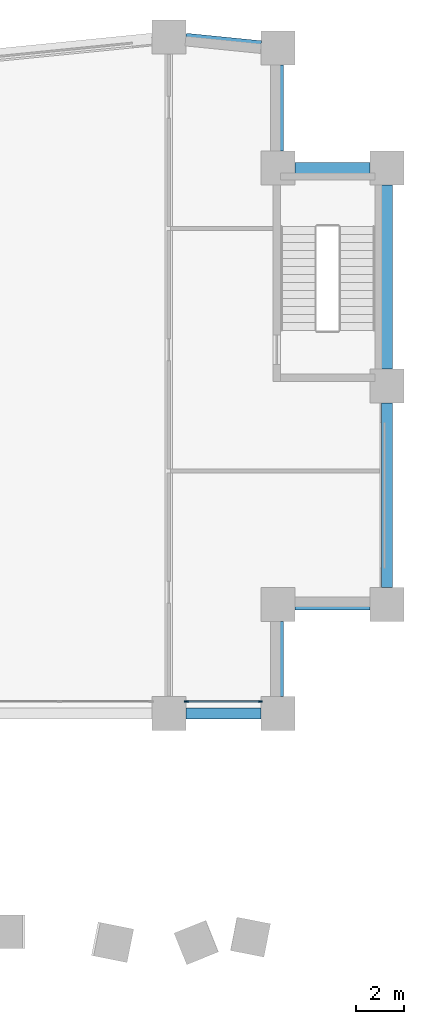
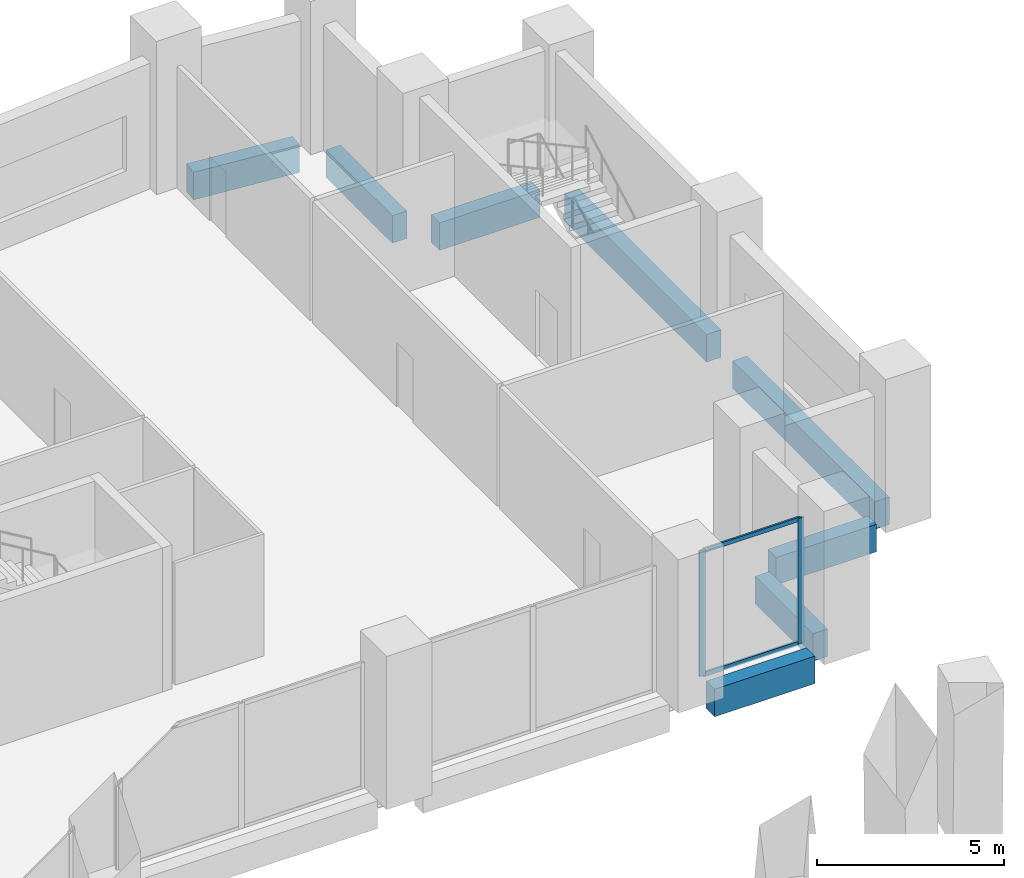
# One storey, part 8 of 17: 8 beams, 4 members, 1 element without a shape of its own.
"""IFC4 building model written with IfcOpenShell, lengths in metres."""

from ifc_helpers import new_model, si_unit, direction, frame, origin, origin_2d, place, context, subcontext, project, spatial, rectangle, extrude, material, material_profile, profile_set, type_object, element, aggregate, save


model = new_model("IFC4")

# Units and contexts
model_context = context("Model", 3, precision=1e-05, world=origin(), true_north=direction((0.0, 1.0)))
body_context = subcontext(model_context, "Body", "Model", "MODEL_VIEW")
ifc_project = project(units=[si_unit("LENGTHUNIT", "METRE"), si_unit("AREAUNIT", "SQUARE_METRE"), si_unit("VOLUMEUNIT", "CUBIC_METRE"), si_unit("PLANEANGLEUNIT", "RADIAN"), si_unit("MASSUNIT", "GRAM", prefix="KILO")], contexts=[model_context])

# Site, building, storey
site_placement = place(None, origin())
site = spatial("IfcSite", under=ifc_project, at=site_placement, CompositionType="ELEMENT")
building_placement = place(site_placement, origin())
building = spatial("IfcBuilding", under=site, at=building_placement, Name="Brondeck Convention Tower", CompositionType="ELEMENT")
storey_placement = place(building_placement, frame((0.0, 0.0, 14.5)))
storey = spatial("IfcBuildingStorey", under=building, at=storey_placement, Name="L02", CompositionType="ELEMENT", Elevation=14.5)

# Curtain wall, members
ifc_material_1 = material(Name="Aluminium, bronze anodised", Category="aluminium")
curtain_wall_type = type_object("IfcCurtainWallType", Name="Podium hall curtain wall", PredefinedType="NOTDEFINED", material=ifc_material_1)
curtain_wall_placement = place(storey_placement, origin())
curtain_wall = element("IfcCurtainWall", 1, at=curtain_wall_placement, inside=storey, type_object=curtain_wall_type, Name="ENV-CW2-L02-A-S-08", PredefinedType="NOTDEFINED")
ifc_material_profile_1 = material_profile(ifc_material_1, rectangle(XDim=0.06005859375, YDim=0.179931640625, at=origin_2d()), Name="CW2 mullion")
ifc_profile_set_1 = profile_set([ifc_material_profile_1], Name="Aluminium, bronze anodised")
member_type_1 = type_object("IfcMemberType", Name="CW2 mullion", PredefinedType="MULLION", material=ifc_profile_set_1)
member_1_placement = place(storey_placement, frame((66.77001953125, 36.5, 0.0), z_axis=(0.0, 0.0, 1.0), x_axis=(0.0, -1.0, 0.0)))
member_1 = element("IfcMember", 2, at=member_1_placement, type_object=member_type_1, Name="CW2 mullion 1", PredefinedType="MULLION", context=body_context, shape_type="SweptSolid", body=[
    extrude(rectangle(XDim=0.06005859375, YDim=0.179931640625, at=origin_2d()), origin(), (0.0, 0.0, 1.0), 4.10009765625),
])
member_2_placement = place(storey_placement, frame((63.72998046875, 36.5, 0.0), z_axis=(0.0, 0.0, 1.0), x_axis=(0.0, -1.0, 0.0)))
member_2 = element("IfcMember", 3, at=member_2_placement, type_object=member_type_1, Name="CW2 mullion 2", PredefinedType="MULLION", context=body_context, shape_type="SweptSolid", body=[
    extrude(rectangle(XDim=0.06005859375, YDim=0.179931640625, at=origin_2d()), origin(), (0.0, 0.0, 1.0), 4.10009765625),
])
ifc_material_profile_2 = material_profile(ifc_material_1, rectangle(XDim=0.06005859375, YDim=0.139892578125, at=origin_2d()), Name="CW2 transom")
ifc_profile_set_2 = profile_set([ifc_material_profile_2], Name="Aluminium, bronze anodised")
member_type_2 = type_object("IfcMemberType", Name="CW2 transom", PredefinedType="USERDEFINED", material=ifc_profile_set_2)
member_3_placement = place(storey_placement, frame((66.739990234375, 36.5, 0.030029296875), z_axis=(-1.0, 0.0, 0.0), x_axis=(0.0, -1.0, 0.0)))
member_3 = element("IfcMember", 4, at=member_3_placement, type_object=member_type_2, Name="CW2 transom 1.1", ObjectType="TRANSOM", PredefinedType="USERDEFINED", context=body_context, shape_type="SweptSolid", body=[
    extrude(rectangle(XDim=0.06005859375, YDim=0.139892578125, at=origin_2d()), origin(), (0.0, 0.0, 1.0), 2.97998046875),
])
member_4_placement = place(storey_placement, frame((66.739990234375, 36.5, 4.070068359375), z_axis=(-1.0, 0.0, 0.0), x_axis=(0.0, -1.0, 0.0)))
member_4 = element("IfcMember", 5, at=member_4_placement, type_object=member_type_2, Name="CW2 transom 1.2", ObjectType="TRANSOM", PredefinedType="USERDEFINED", context=body_context, shape_type="SweptSolid", body=[
    extrude(rectangle(XDim=0.06005859375, YDim=0.139892578125, at=origin_2d()), origin(), (0.0, 0.0, 1.0), 2.97998046875),
])
aggregate(curtain_wall, [member_1, member_2, member_3, member_4])

# Beams
ifc_material_2 = material(Name="Concrete C80/95", Category="concrete")
ifc_material_profile_3 = material_profile(ifc_material_2, rectangle(XDim=0.449951171875, YDim=0.89990234375, at=origin_2d()), Name="Edge beam 450x900 Concrete C80/95")
ifc_profile_set_3 = profile_set([ifc_material_profile_3], Name="Concrete C80/95")
beam_type = type_object("IfcBeamType", Name="Edge beam 450x900 Concrete C80/95", PredefinedType="BEAM", material=ifc_profile_set_3)
for number, where, z_axis, x_axis, name in (
    (6, (63.699951171875, 36.0, -0.449951171875), (1.0, 0.0, 0.0), (0.0, 1.0, 0.0), "STR-SP-L02-013"),
    (7, (67.5, 36.699951171875, -0.449951171875), (0.0, 1.0, 0.0), (-1.0, 0.0, 0.0), "STR-SP-L02-014"),
    (8, (68.199951171875, 40.5, -0.449951171875), (1.0, 0.0, 0.0), (0.0, 1.0, 0.0), "STR-SP-L02-015"),
):
    element("IfcBeam", number, at=place(storey_placement, frame(where, z_axis=z_axis, x_axis=x_axis)), inside=storey, type_object=beam_type, Name=name, PredefinedType="BEAM", context=body_context, shape_type="SweptSolid", body=[
        extrude(rectangle(XDim=0.449951171875, YDim=0.89990234375, at=origin_2d()), origin(), (0.0, 0.0, 1.0), 3.10009765625),
    ])
for number, where, z_axis, x_axis, name in (
    (9, (72.0, 41.199951171875, -0.449951171875), (0.0, 1.0, 0.0), (-1.0, 0.0, 0.0), "STR-SP-L02-016"),
    (10, (72.0, 50.199951171875, -0.449951171875), (0.0, 1.0, 0.0), (-1.0, 0.0, 0.0), "STR-SP-L02-017"),
):
    element("IfcBeam", number, at=place(storey_placement, frame(where, z_axis=z_axis, x_axis=x_axis)), inside=storey, type_object=beam_type, Name=name, PredefinedType="BEAM", context=body_context, shape_type="SweptSolid", body=[
        extrude(rectangle(XDim=0.449951171875, YDim=0.89990234375, at=origin_2d()), origin(), (0.0, 0.0, 1.0), 7.60009765625),
    ])
beam_1_placement = place(storey_placement, frame((71.300048828125, 58.5, -0.449951171875), z_axis=(-1.0, 0.0, 0.0), x_axis=(0.0, -1.0, 0.0)))
element("IfcBeam", 11, at=beam_1_placement, inside=storey, type_object=beam_type, Name="STR-SP-L02-018", PredefinedType="BEAM", context=body_context, shape_type="SweptSolid", body=[
    extrude(rectangle(XDim=0.449951171875, YDim=0.89990234375, at=origin_2d()), origin(), (0.0, 0.0, 1.0), 3.10009765625),
])
beam_2_placement = place(storey_placement, frame((67.5, 59.199951171875, -0.449951171875), z_axis=(0.0, 1.0, 0.0), x_axis=(-1.0, 0.0, 0.0)))
element("IfcBeam", 12, at=beam_2_placement, inside=storey, type_object=beam_type, Name="STR-SP-L02-019", PredefinedType="BEAM", context=body_context, shape_type="SweptSolid", body=[
    extrude(rectangle(XDim=0.449951171875, YDim=0.89990234375, at=origin_2d()), origin(), (0.0, 0.0, 1.0), 3.550048828125),
])
beam_3_placement = place(storey_placement, frame((66.800048828125, 63.52001953125, -0.449951171875), z_axis=(-0.995035638374, 0.099519236158, 0.0), x_axis=(-0.099519236158, -0.995035638374, 0.0)))
element("IfcBeam", 13, at=beam_3_placement, inside=storey, type_object=beam_type, Name="STR-SP-L02-020", PredefinedType="BEAM", context=body_context, shape_type="SweptSolid", body=[
    extrude(rectangle(XDim=0.449951171875, YDim=0.89990234375, at=origin_2d()), origin(), (0.0, 0.0, 1.0), 3.115478515625),
])

save(model, "model.ifc")
